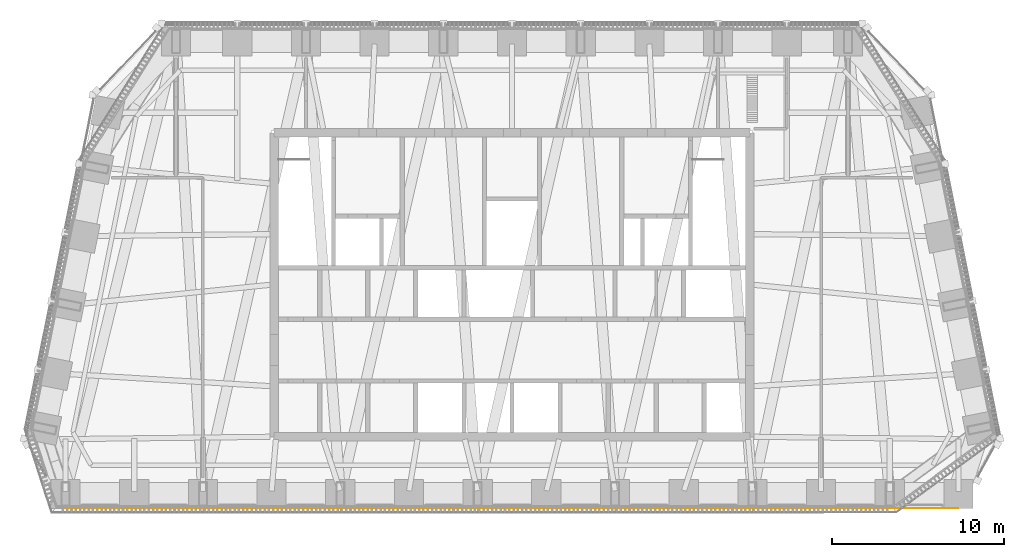
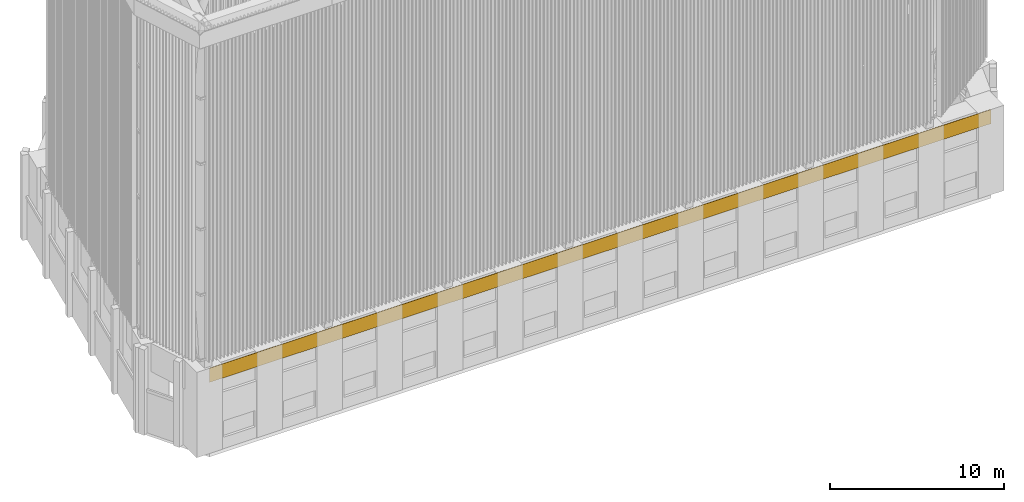
# One storey, part 10 of 15: 1 covering.
"""IFC4 building model written with IfcOpenShell, lengths in metres."""

from ifc_helpers import new_model, si_unit, direction, frame, origin, origin_2d, place, context, subcontext, project, spatial, rectangle, extrude, material, layer, layer_set, type_object, element, save


model = new_model("IFC4")

# Units and contexts
model_context = context("Model", 3, precision=1e-05, world=origin(), true_north=direction((0.0, 1.0)))
body_context = subcontext(model_context, "Body", "Model", "MODEL_VIEW")
ifc_project = project(units=[si_unit("LENGTHUNIT", "METRE"), si_unit("AREAUNIT", "SQUARE_METRE"), si_unit("VOLUMEUNIT", "CUBIC_METRE"), si_unit("PLANEANGLEUNIT", "RADIAN"), si_unit("MASSUNIT", "GRAM", prefix="KILO")], contexts=[model_context])

# Site, building, storey
site_placement = place(None, origin())
site = spatial("IfcSite", under=ifc_project, at=site_placement, CompositionType="ELEMENT")
building_placement = place(site_placement, origin())
building = spatial("IfcBuilding", under=site, at=building_placement, Name="Isbrekke Arena Tower", CompositionType="ELEMENT")
storey_placement = place(building_placement, frame((0.0, 0.0, 324.0)))
storey = spatial("IfcBuildingStorey", under=building, at=storey_placement, Name="L76", CompositionType="ELEMENT", Elevation=324.0)

# Covering
ifc_material = material(Name="Pre-patinated copper sheet", Category="metal")
ifc_layer = layer(ifc_material, 0.02001953125)
ifc_layer_set = layer_set([ifc_layer], Name="CL1 COPPER CLADDING")
covering_type = type_object("IfcCoveringType", Name="CL1 COPPER CLADDING", PredefinedType="CLADDING", material=ifc_layer_set)
covering_placement = place(storey_placement, frame((0.0, 1.989990234375, 5.0), z_axis=(0.0, 0.0, 1.0), x_axis=(1.0, 0.0, 0.0)))
element("IfcCovering", 1, at=covering_placement, inside=storey, type_object=covering_type, Name="CL1 copper cladding L76", PredefinedType="CLADDING", context=body_context, shape_type="SweptSolid", body=[
    extrude(rectangle(XDim=52.0, YDim=0.02001953125, at=origin_2d()), origin(), (0.0, 0.0, 1.0), 1.0),
])

save(model, "model.ifc")
